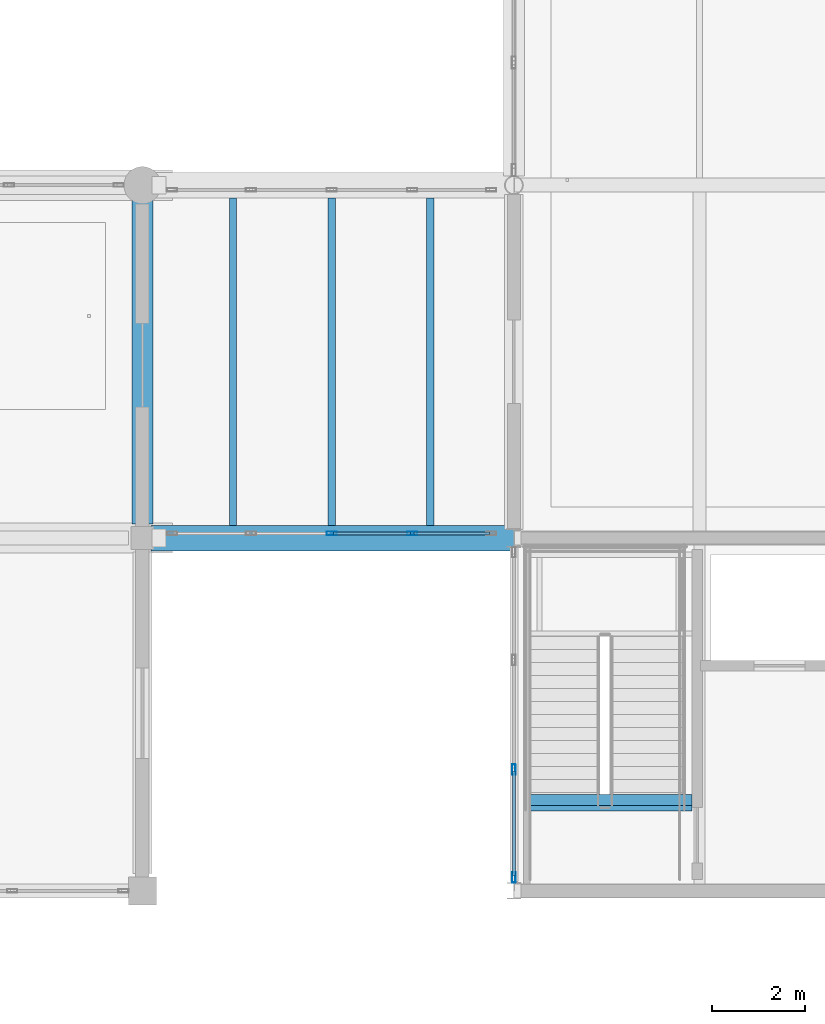
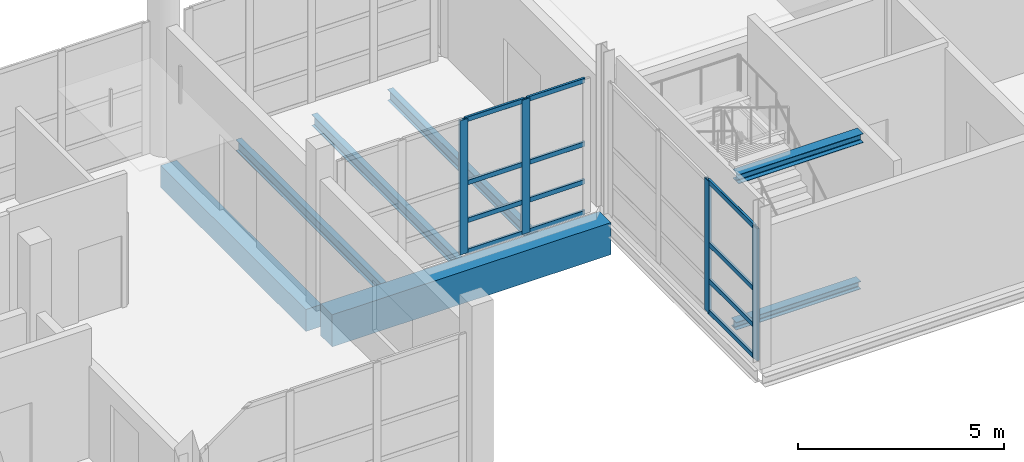
# One storey, part 44 of 141: 16 members, 7 beams, 2 elements without a shape of their own.
"""IFC4 building model written with IfcOpenShell, lengths in metres."""

import ifcopenshell
import ifcopenshell.guid

model = None  # the IFC model being written
_history = None  # IfcOwnerHistory: only IFC2X3 demands one
_inside = {}  # id of a spatial element -> (the spatial element, [elements in it])
_under = {}  # id of a project, library or spatial element -> (it, [spatial elements below it])
_declared = {}  # id of a project -> (the project, [libraries it declares])
_typed = {}  # id of a type object -> (the type object, [elements of that type])
_made_of = {}  # id of a material, layer set ... -> (it, [elements and type objects made of it])


def new_model(schema):
    """Start an empty IFC model of exactly this schema.

    Asked for "IFC4X3", IfcOpenShell would pick the latest addendum, in which some entities
    have other attributes; the version numbers below select the first issue.
    IFC2X3 requires an IfcOwnerHistory on every rooted entity: one is made here for all.
    """
    global model, _history
    if schema == "IFC4X3":
        model = ifcopenshell.file(schema_version=(4, 3, 0, 0))
    else:
        model = ifcopenshell.file(schema=schema)
    _inside.clear()
    _under.clear()
    _declared.clear()
    _typed.clear()
    _made_of.clear()
    _history = None
    if model.schema == "IFC2X3":
        org = make("IfcOrganization", Name="unknown")
        user = make(
            "IfcPersonAndOrganization",
            ThePerson=make("IfcPerson", FamilyName="unknown"),
            TheOrganization=org,
        )
        app = make(
            "IfcApplication",
            ApplicationDeveloper=org,
            Version="unknown",
            ApplicationFullName="unknown",
            ApplicationIdentifier="unknown",
        )
        _history = make(
            "IfcOwnerHistory",
            OwningUser=user,
            OwningApplication=app,
            ChangeAction="ADDED",
            CreationDate=0,
        )
    return model


def make(cls, **values):
    """One entity of the class cls with the attributes given. An attribute that is None is left unset."""
    return model.create_entity(
        cls, **{name: value for name, value in values.items() if value is not None}
    )


def rooted(cls, **values):
    """An entity with a GlobalId (a new one), such as an element, a storey or a relation."""
    return make(cls, GlobalId=ifcopenshell.guid.new(), OwnerHistory=_history, **values)


def si_unit(unit_type, name, prefix=None):
    """IfcSIUnit, for example si_unit("LENGTHUNIT", "METRE", prefix="MILLI")."""
    return make("IfcSIUnit", UnitType=unit_type, Prefix=prefix, Name=name)


def assignment(units):
    """IfcUnitAssignment: the units of a project."""
    return None if units is None else make("IfcUnitAssignment", Units=units)


def point(xyz):
    """IfcCartesianPoint."""
    return None if xyz is None else make("IfcCartesianPoint", Coordinates=xyz)


def direction(xyz):
    """IfcDirection."""
    return None if xyz is None else make("IfcDirection", DirectionRatios=xyz)


def frame(location, z_axis=None, x_axis=None):
    """IfcAxis2Placement3D, a coordinate frame: its origin and axes. An axis left out is left unset."""
    return make(
        "IfcAxis2Placement3D",
        Location=point(location),
        Axis=direction(z_axis),
        RefDirection=direction(x_axis),
    )


def frame_2d(location, x_axis=None):
    """IfcAxis2Placement2D, a coordinate frame in the plane: its origin and x axis."""
    return make(
        "IfcAxis2Placement2D", Location=point(location), RefDirection=direction(x_axis)
    )


def origin():
    """The frame at (0, 0, 0) with its axes left unset."""
    return frame((0.0, 0.0, 0.0))


def origin_2d():
    """The frame at (0, 0) in the plane with its x axis left unset."""
    return frame_2d((0.0, 0.0))


def place(relative_to, where):
    """IfcLocalPlacement: puts the frame where relative to a parent placement (None: the world)."""
    return make(
        "IfcLocalPlacement", PlacementRelTo=relative_to, RelativePlacement=where
    )


def context(
    kind, dimensions, precision=None, world=None, true_north=None, identifier=None
):
    """IfcGeometricRepresentationContext, for example the 3D "Model" context."""
    return make(
        "IfcGeometricRepresentationContext",
        ContextIdentifier=identifier,
        ContextType=kind,
        CoordinateSpaceDimension=dimensions,
        Precision=precision,
        WorldCoordinateSystem=world,
        TrueNorth=true_north,
    )


def subcontext(parent, identifier, kind, view, scale=None):
    """IfcGeometricRepresentationSubContext, for example "Body" below "Model"."""
    return make(
        "IfcGeometricRepresentationSubContext",
        ContextIdentifier=identifier,
        ContextType=kind,
        ParentContext=parent,
        TargetScale=scale,
        TargetView=view,
    )


def project(units=None, contexts=None):
    """IfcProject with its units and contexts."""
    return rooted(
        "IfcProject",
        Name="project",
        RepresentationContexts=contexts,
        UnitsInContext=assignment(units),
    )


def spatial(cls, under=None, at=None, **own):
    """A site, building, storey or space (cls), placed at a placement, below another one or the project."""
    s = rooted(cls, ObjectPlacement=at, **own)
    if under is not None:
        _under.setdefault(under.id(), (under, []))[1].append(s)
    return s


def profile(cls, at=None, kind="AREA", **sizes):
    """A parametric profile (cls). Its sizes go by their IFC names, for example OverallWidth=200.0."""
    return make(cls, ProfileType=kind, Position=at, **sizes)


def rectangle(**sizes):
    """IfcRectangleProfileDef."""
    return profile("IfcRectangleProfileDef", **sizes)


def hollow_rectangle(**sizes):
    """IfcRectangleHollowProfileDef."""
    return profile("IfcRectangleHollowProfileDef", **sizes)


def i_section(**sizes):
    """IfcIShapeProfileDef."""
    return profile("IfcIShapeProfileDef", **sizes)


def extrude(swept, where, along, depth):
    """IfcExtrudedAreaSolid: the profile swept, set in the frame where, extruded along a direction by depth."""
    return make(
        "IfcExtrudedAreaSolid",
        SweptArea=swept,
        Position=where,
        ExtrudedDirection=direction(along),
        Depth=depth,
    )


def shape(context_of_items, identifier, shape_type, items):
    """IfcShapeRepresentation: the items that make up one representation, for example the "Body"."""
    return make(
        "IfcShapeRepresentation",
        ContextOfItems=context_of_items,
        RepresentationIdentifier=identifier,
        RepresentationType=shape_type,
        Items=items,
    )


def material(Name=None, Category=None):
    """IfcMaterial."""
    return make("IfcMaterial", Name=Name, Category=Category)


def material_profile(
    of_material, cross_section, Name=None, Category=None, Priority=None
):
    """IfcMaterialProfile: a cross section and its material."""
    return make(
        "IfcMaterialProfile",
        Name=Name,
        Material=of_material,
        Profile=cross_section,
        Priority=Priority,
        Category=Category,
    )


def profile_set(profiles, Name=None, composite=None):
    """IfcMaterialProfileSet."""
    return make(
        "IfcMaterialProfileSet",
        Name=Name,
        MaterialProfiles=profiles,
        CompositeProfile=composite,
    )


def made_of(thing, what):
    """Note that an element or type object is made of a material, layer set ...; save() writes the relation."""
    if what is not None:
        _made_of.setdefault(what.id(), (what, []))[1].append(thing)
    return thing


def type_object(cls, material=None, **own):
    """A type object (cls), such as IfcWallType, which elements share."""
    return made_of(rooted(cls, **own), material)


def element(
    cls,
    number,
    at=None,
    inside=None,
    cuts=None,
    type_object=None,
    material=None,
    context=None,
    identifier="Body",
    shape_type=None,
    held_by="IfcProductDefinitionShape",
    body=None,
    shapes=None,
    **own,
):
    """One element of the class cls, such as IfcWall. Its Tag is "e" and its number.

    at: its placement. inside: the storey or other place that contains it. cuts: it is an
    opening in that element (IfcRelVoidsElement). A single representation is given by context,
    identifier, shape_type and body (its items); several are given by shapes. held_by: the class
    of the entity that holds the representations. save() writes the other relations.
    """
    e = rooted(cls, Tag="e%d" % number, ObjectPlacement=at, **own)
    if body is not None:
        shapes = [shape(context, identifier, shape_type, body)]
    if shapes is not None:
        e.Representation = make(held_by, Representations=shapes)
    if inside is not None:
        _inside.setdefault(inside.id(), (inside, []))[1].append(e)
    if cuts is not None:
        rooted(
            "IfcRelVoidsElement", RelatingBuildingElement=cuts, RelatedOpeningElement=e
        )
    if type_object is not None:
        _typed.setdefault(type_object.id(), (type_object, []))[1].append(e)
    return made_of(e, material)


def aggregate(whole, parts):
    """IfcRelAggregates: a whole, such as a stair, and the parts it consists of."""
    return rooted("IfcRelAggregates", RelatingObject=whole, RelatedObjects=parts)


def save(model, path):
    """Write the relations noted so far, then the file.

    IfcRelAggregates (storeys below a building ...), IfcRelContainedInSpatialStructure (elements
    in a storey), IfcRelDefinesByType, IfcRelAssociatesMaterial and IfcRelDeclares: one each for
    every whole, place, type object, material and project.
    """
    for whole, parts in _under.values():
        aggregate(whole, parts)
    for where, things in _inside.values():
        rooted(
            "IfcRelContainedInSpatialStructure",
            RelatedElements=things,
            RelatingStructure=where,
        )
    for kind, things in _typed.values():
        rooted("IfcRelDefinesByType", RelatedObjects=things, RelatingType=kind)
    for what, things in _made_of.values():
        rooted("IfcRelAssociatesMaterial", RelatedObjects=things, RelatingMaterial=what)
    for by, libraries in _declared.values():
        rooted("IfcRelDeclares", RelatingContext=by, RelatedDefinitions=libraries)
    model.write(path)


model = new_model("IFC4")

# Units and contexts
model_context = context("Model", 3, precision=1e-05, world=origin(), true_north=direction((0.0, 1.0)))
body_context = subcontext(model_context, "Body", "Model", "MODEL_VIEW")
ifc_project = project(units=[si_unit("LENGTHUNIT", "METRE"), si_unit("AREAUNIT", "SQUARE_METRE"), si_unit("VOLUMEUNIT", "CUBIC_METRE"), si_unit("PLANEANGLEUNIT", "RADIAN"), si_unit("MASSUNIT", "GRAM", prefix="KILO")], contexts=[model_context])

# Site, building, storey
site_placement = place(None, origin())
site = spatial("IfcSite", under=ifc_project, at=site_placement, CompositionType="ELEMENT")
building_placement = place(site_placement, origin())
building = spatial("IfcBuilding", under=site, at=building_placement, Name="Khelvaren Railside Concert Hall", CompositionType="ELEMENT")
storey_placement = place(building_placement, frame((0.0, 0.0, 10.199951171875)))
storey = spatial("IfcBuildingStorey", under=building, at=storey_placement, Name="L02", CompositionType="ELEMENT", Elevation=10.199951171875)

# Beams
ifc_material_1 = material(Name="Steel S355", Category="steel")
ifc_material_profile_1 = material_profile(ifc_material_1, i_section(OverallWidth=0.239990234375, OverallDepth=0.22998046875, WebThickness=0.007568359375, FlangeThickness=0.011962890625, FilletRadius=0.02099609375, at=origin_2d()), Name="HEA 240")
ifc_profile_set_1 = profile_set([ifc_material_profile_1], Name="Steel S355")
beam_type_1 = type_object("IfcBeamType", Name="BM42", PredefinedType="BEAM", material=ifc_profile_set_1)
beam_1_placement = place(storey_placement, frame((144.344970703125, 1.960693359375, -0.114990234375), z_axis=(1.0, 0.0, 0.0), x_axis=(0.0, 1.0, 0.0)))
element("IfcBeam", 1, at=beam_1_placement, inside=storey, type_object=beam_type_1, Name="ST-03 L02 Stair Foot Trimmer Beam", PredefinedType="BEAM", context=body_context, shape_type="SweptSolid", body=[
    extrude(i_section(OverallWidth=0.239990234375, OverallDepth=0.22998046875, WebThickness=0.007568359375, FlangeThickness=0.011962890625, FilletRadius=0.02099609375, at=origin_2d()), origin(), (0.0, 0.0, 1.0), 3.4951171875),
])
ifc_material_profile_2 = material_profile(ifc_material_1, i_section(OverallWidth=0.280029296875, OverallDepth=0.27001953125, WebThickness=0.008056640625, FlangeThickness=0.012939453125, FilletRadius=0.02392578125, at=origin_2d()), Name="HEA 280")
ifc_profile_set_2 = profile_set([ifc_material_profile_2], Name="Steel S355")
beam_type_2 = type_object("IfcBeamType", Name="BM93", PredefinedType="BEAM", material=ifc_profile_set_2)
beam_2_placement = place(storey_placement, frame((144.344970703125, 1.860107421875, 4.317626953125), z_axis=(1.0, 0.0, 0.0), x_axis=(0.0, 1.0, 0.0)))
element("IfcBeam", 2, at=beam_2_placement, inside=storey, type_object=beam_type_2, Name="ST-03 L02 Stair Top Arrival Trimmer Beam", PredefinedType="BEAM", context=body_context, shape_type="SweptSolid", body=[
    extrude(i_section(OverallWidth=0.280029296875, OverallDepth=0.27001953125, WebThickness=0.008056640625, FlangeThickness=0.012939453125, FilletRadius=0.02392578125, at=origin_2d()), origin(), (0.0, 0.0, 1.0), 3.4951171875),
])

# Curtain wall, members
ifc_material_2 = material(Name="Double-glazed clear foyer glass", Category="glass")
curtain_wall_type_1 = type_object("IfcCurtainWallType", Name="CW64", PredefinedType="USERDEFINED", material=ifc_material_2)
curtain_wall_1_placement = place(storey_placement, origin())
curtain_wall_1 = element("IfcCurtainWall", 3, at=curtain_wall_1_placement, inside=storey, type_object=curtain_wall_type_1, Name="Unitised Curtain Wall CW-V2-L02-W-0", ObjectType="UNITISED CURTAIN WALL", PredefinedType="USERDEFINED")
ifc_material_3 = material(Name="Anodised architectural aluminium 6063-T6", Category="aluminium")
ifc_material_profile_3 = material_profile(ifc_material_3, hollow_rectangle(XDim=0.074951171875, YDim=0.219970703125, WallThickness=0.0048828125, InnerFilletRadius=0.0029296875, OuterFilletRadius=0.0048828125, at=origin_2d()), Name="CWM 75x220x5")
ifc_profile_set_3 = profile_set([ifc_material_profile_3], Name="Anodised architectural aluminium 6063-T6")
member_type_1 = type_object("IfcMemberType", Name="CWM13", PredefinedType="MULLION", material=ifc_profile_set_3)
member_1_placement = place(storey_placement, frame((144.0, 0.2900390625, 0.0), z_axis=(0.0, 0.0, 1.0), x_axis=(-1.0, 0.0, 0.0)))
member_1 = element("IfcMember", 4, at=member_1_placement, type_object=member_type_1, Name="CW64 mullion 1", PredefinedType="MULLION", context=body_context, shape_type="SweptSolid", body=[
    extrude(hollow_rectangle(XDim=0.074951171875, YDim=0.219970703125, WallThickness=0.0048828125, InnerFilletRadius=0.0029296875, OuterFilletRadius=0.0048828125, at=origin_2d()), origin(), (0.0, 0.0, 1.0), 3.91015625),
])
member_2_placement = place(storey_placement, frame((144.0, 2.612548828125, 0.0), z_axis=(0.0, 0.0, 1.0), x_axis=(-1.0, 0.0, 0.0)))
member_2 = element("IfcMember", 5, at=member_2_placement, type_object=member_type_1, Name="CW64 mullion 2", PredefinedType="MULLION", context=body_context, shape_type="SweptSolid", body=[
    extrude(hollow_rectangle(XDim=0.074951171875, YDim=0.219970703125, WallThickness=0.0048828125, InnerFilletRadius=0.0029296875, OuterFilletRadius=0.0048828125, at=origin_2d()), origin(), (0.0, 0.0, 1.0), 3.91015625),
])

curtain_wall_type_2 = type_object("IfcCurtainWallType", Name="CW47", PredefinedType="USERDEFINED", material=ifc_material_2)
curtain_wall_2_placement = place(storey_placement, origin())
curtain_wall_2 = element("IfcCurtainWall", 6, at=curtain_wall_2_placement, inside=storey, type_object=curtain_wall_type_2, Name="Unitised Curtain Wall CW-LB2-L02-S", ObjectType="UNITISED CURTAIN WALL", PredefinedType="USERDEFINED")
member_3_placement = place(storey_placement, frame((141.8125, 7.699951171875, 0.0), z_axis=(0.0, 0.0, 1.0), x_axis=(0.0, -1.0, 0.0)))
member_3 = element("IfcMember", 7, at=member_3_placement, type_object=member_type_1, Name="CW47 mullion 2", PredefinedType="MULLION", context=body_context, shape_type="SweptSolid", body=[
    extrude(hollow_rectangle(XDim=0.074951171875, YDim=0.219970703125, WallThickness=0.0048828125, InnerFilletRadius=0.0029296875, OuterFilletRadius=0.0048828125, at=origin_2d()), origin(), (0.0, 0.0, 1.0), 3.97998046875),
])
member_4_placement = place(storey_placement, frame((140.074951171875, 7.699951171875, 0.0), z_axis=(0.0, 0.0, 1.0), x_axis=(0.0, -1.0, 0.0)))
member_4 = element("IfcMember", 8, at=member_4_placement, type_object=member_type_1, Name="CW47 mullion 3", PredefinedType="MULLION", context=body_context, shape_type="SweptSolid", body=[
    extrude(hollow_rectangle(XDim=0.074951171875, YDim=0.219970703125, WallThickness=0.0048828125, InnerFilletRadius=0.0029296875, OuterFilletRadius=0.0048828125, at=origin_2d()), origin(), (0.0, 0.0, 1.0), 3.97998046875),
])

# Member
ifc_material_profile_4 = material_profile(ifc_material_3, hollow_rectangle(XDim=0.06494140625, YDim=0.139892578125, WallThickness=0.00390625, InnerFilletRadius=0.001953125, OuterFilletRadius=0.00390625, at=origin_2d()), Name="CWT 65x140x4")
ifc_profile_set_4 = profile_set([ifc_material_profile_4], Name="Anodised architectural aluminium 6063-T6")
member_type_2 = type_object("IfcMemberType", Name="CWT72", PredefinedType="USERDEFINED", material=ifc_profile_set_4)
member_5_placement = place(storey_placement, frame((144.0, 0.327392578125, 0.032470703125), z_axis=(0.0, 1.0, 0.0), x_axis=(-1.0, 0.0, 0.0)))
member_5 = element("IfcMember", 9, at=member_5_placement, type_object=member_type_2, Name="CW64 transom 1.1", ObjectType="TRANSOM", PredefinedType="USERDEFINED", context=body_context, shape_type="SweptSolid", body=[
    extrude(hollow_rectangle(XDim=0.06494140625, YDim=0.139892578125, WallThickness=0.00390625, InnerFilletRadius=0.001953125, OuterFilletRadius=0.00390625, at=origin_2d()), origin(), (0.0, 0.0, 1.0), 2.24755859375),
])

member_6_placement = place(storey_placement, frame((144.0, 0.327392578125, 0.949951171875), z_axis=(0.0, 1.0, 0.0), x_axis=(-1.0, 0.0, 0.0)))
member_6 = element("IfcMember", 10, at=member_6_placement, type_object=member_type_2, Name="CW64 transom 1.2", ObjectType="TRANSOM", PredefinedType="USERDEFINED", context=body_context, shape_type="SweptSolid", body=[
    extrude(hollow_rectangle(XDim=0.06494140625, YDim=0.139892578125, WallThickness=0.00390625, InnerFilletRadius=0.001953125, OuterFilletRadius=0.00390625, at=origin_2d()), origin(), (0.0, 0.0, 1.0), 2.24755859375),
])

member_7_placement = place(storey_placement, frame((144.0, 0.327392578125, 2.033203125), z_axis=(0.0, 1.0, 0.0), x_axis=(-1.0, 0.0, 0.0)))
member_7 = element("IfcMember", 11, at=member_7_placement, type_object=member_type_2, Name="CW64 transom 1.3", ObjectType="TRANSOM", PredefinedType="USERDEFINED", context=body_context, shape_type="SweptSolid", body=[
    extrude(hollow_rectangle(XDim=0.06494140625, YDim=0.139892578125, WallThickness=0.00390625, InnerFilletRadius=0.001953125, OuterFilletRadius=0.00390625, at=origin_2d()), origin(), (0.0, 0.0, 1.0), 2.24755859375),
])

member_8_placement = place(storey_placement, frame((144.0, 0.327392578125, 3.87744140625), z_axis=(0.0, 1.0, 0.0), x_axis=(-1.0, 0.0, 0.0)))
member_8 = element("IfcMember", 12, at=member_8_placement, type_object=member_type_2, Name="CW64 transom 1.4", ObjectType="TRANSOM", PredefinedType="USERDEFINED", context=body_context, shape_type="SweptSolid", body=[
    extrude(hollow_rectangle(XDim=0.06494140625, YDim=0.139892578125, WallThickness=0.00390625, InnerFilletRadius=0.001953125, OuterFilletRadius=0.00390625, at=origin_2d()), origin(), (0.0, 0.0, 1.0), 2.24755859375),
])

aggregate(curtain_wall_1, [member_1, member_2, member_5, member_6, member_7, member_8])

member_9_placement = place(storey_placement, frame((143.47509765625, 7.699951171875, 0.032470703125), z_axis=(-1.0, 0.0, 0.0), x_axis=(0.0, -1.0, 0.0)))
member_9 = element("IfcMember", 13, at=member_9_placement, type_object=member_type_2, Name="CW47 transom 1.1", ObjectType="TRANSOM", PredefinedType="USERDEFINED", context=body_context, shape_type="SweptSolid", body=[
    extrude(hollow_rectangle(XDim=0.06494140625, YDim=0.139892578125, WallThickness=0.00390625, InnerFilletRadius=0.001953125, OuterFilletRadius=0.00390625, at=origin_2d()), origin(), (0.0, 0.0, 1.0), 1.625),
])

member_10_placement = place(storey_placement, frame((143.47509765625, 7.699951171875, 0.949951171875), z_axis=(-1.0, 0.0, 0.0), x_axis=(0.0, -1.0, 0.0)))
member_10 = element("IfcMember", 14, at=member_10_placement, type_object=member_type_2, Name="CW47 transom 1.2", ObjectType="TRANSOM", PredefinedType="USERDEFINED", context=body_context, shape_type="SweptSolid", body=[
    extrude(hollow_rectangle(XDim=0.06494140625, YDim=0.139892578125, WallThickness=0.00390625, InnerFilletRadius=0.001953125, OuterFilletRadius=0.00390625, at=origin_2d()), origin(), (0.0, 0.0, 1.0), 1.625),
])

member_11_placement = place(storey_placement, frame((143.47509765625, 7.699951171875, 2.069580078125), z_axis=(-1.0, 0.0, 0.0), x_axis=(0.0, -1.0, 0.0)))
member_11 = element("IfcMember", 15, at=member_11_placement, type_object=member_type_2, Name="CW47 transom 1.3", ObjectType="TRANSOM", PredefinedType="USERDEFINED", context=body_context, shape_type="SweptSolid", body=[
    extrude(hollow_rectangle(XDim=0.06494140625, YDim=0.139892578125, WallThickness=0.00390625, InnerFilletRadius=0.001953125, OuterFilletRadius=0.00390625, at=origin_2d()), origin(), (0.0, 0.0, 1.0), 1.625),
])

member_12_placement = place(storey_placement, frame((143.47509765625, 7.699951171875, 3.947509765625), z_axis=(-1.0, 0.0, 0.0), x_axis=(0.0, -1.0, 0.0)))
member_12 = element("IfcMember", 16, at=member_12_placement, type_object=member_type_2, Name="CW47 transom 1.4", ObjectType="TRANSOM", PredefinedType="USERDEFINED", context=body_context, shape_type="SweptSolid", body=[
    extrude(hollow_rectangle(XDim=0.06494140625, YDim=0.139892578125, WallThickness=0.00390625, InnerFilletRadius=0.001953125, OuterFilletRadius=0.00390625, at=origin_2d()), origin(), (0.0, 0.0, 1.0), 1.625),
])

member_13_placement = place(storey_placement, frame((141.77490234375, 7.699951171875, 0.032470703125), z_axis=(-1.0, 0.0, 0.0), x_axis=(0.0, -1.0, 0.0)))
member_13 = element("IfcMember", 17, at=member_13_placement, type_object=member_type_2, Name="CW47 transom 2.1", ObjectType="TRANSOM", PredefinedType="USERDEFINED", context=body_context, shape_type="SweptSolid", body=[
    extrude(hollow_rectangle(XDim=0.06494140625, YDim=0.139892578125, WallThickness=0.00390625, InnerFilletRadius=0.001953125, OuterFilletRadius=0.00390625, at=origin_2d()), origin(), (0.0, 0.0, 1.0), 1.662353515625),
])

member_14_placement = place(storey_placement, frame((141.77490234375, 7.699951171875, 0.949951171875), z_axis=(-1.0, 0.0, 0.0), x_axis=(0.0, -1.0, 0.0)))
member_14 = element("IfcMember", 18, at=member_14_placement, type_object=member_type_2, Name="CW47 transom 2.2", ObjectType="TRANSOM", PredefinedType="USERDEFINED", context=body_context, shape_type="SweptSolid", body=[
    extrude(hollow_rectangle(XDim=0.06494140625, YDim=0.139892578125, WallThickness=0.00390625, InnerFilletRadius=0.001953125, OuterFilletRadius=0.00390625, at=origin_2d()), origin(), (0.0, 0.0, 1.0), 1.662353515625),
])

member_15_placement = place(storey_placement, frame((141.77490234375, 7.699951171875, 2.069580078125), z_axis=(-1.0, 0.0, 0.0), x_axis=(0.0, -1.0, 0.0)))
member_15 = element("IfcMember", 19, at=member_15_placement, type_object=member_type_2, Name="CW47 transom 2.3", ObjectType="TRANSOM", PredefinedType="USERDEFINED", context=body_context, shape_type="SweptSolid", body=[
    extrude(hollow_rectangle(XDim=0.06494140625, YDim=0.139892578125, WallThickness=0.00390625, InnerFilletRadius=0.001953125, OuterFilletRadius=0.00390625, at=origin_2d()), origin(), (0.0, 0.0, 1.0), 1.662353515625),
])

member_16_placement = place(storey_placement, frame((141.77490234375, 7.699951171875, 3.947509765625), z_axis=(-1.0, 0.0, 0.0), x_axis=(0.0, -1.0, 0.0)))
member_16 = element("IfcMember", 20, at=member_16_placement, type_object=member_type_2, Name="CW47 transom 2.4", ObjectType="TRANSOM", PredefinedType="USERDEFINED", context=body_context, shape_type="SweptSolid", body=[
    extrude(hollow_rectangle(XDim=0.06494140625, YDim=0.139892578125, WallThickness=0.00390625, InnerFilletRadius=0.001953125, OuterFilletRadius=0.00390625, at=origin_2d()), origin(), (0.0, 0.0, 1.0), 1.662353515625),
])

aggregate(curtain_wall_2, [member_3, member_4, member_9, member_10, member_11, member_12, member_13, member_14, member_15, member_16])

# Beams
ifc_material_4 = material(Name="Concrete C40/50", Category="concrete")
ifc_material_profile_5 = material_profile(ifc_material_4, rectangle(XDim=0.550048828125, YDim=0.949951171875, at=origin_2d()), Name="RCB 550x950")
ifc_profile_set_5 = profile_set([ifc_material_profile_5], Name="Concrete C40/50")
beam_type_3 = type_object("IfcBeamType", Name="GR75", PredefinedType="T_BEAM", material=ifc_profile_set_5)
beam_3_placement = place(storey_placement, frame((136.179931640625, 7.60009765625, -0.71484375), z_axis=(1.0, 0.0, 0.0), x_axis=(0.0, 1.0, 0.0)))
element("IfcBeam", 21, at=beam_3_placement, inside=storey, type_object=beam_type_3, Name="East Rehearsal Link Bridge L02 Bridge Girder 1", PredefinedType="T_BEAM", context=body_context, shape_type="SweptSolid", body=[
    extrude(rectangle(XDim=0.550048828125, YDim=0.949951171875, at=origin_2d()), origin(), (0.0, 0.0, 1.0), 7.820068359375),
])
ifc_material_profile_6 = material_profile(ifc_material_1, i_section(OverallWidth=0.159912109375, OverallDepth=0.330078125, WebThickness=0.007568359375, FlangeThickness=0.011474609375, FilletRadius=0.01806640625, at=origin_2d()), Name="IPE 330")
ifc_profile_set_6 = profile_set([ifc_material_profile_6], Name="Steel S355")
beam_type_4 = type_object("IfcBeamType", Name="JS65", PredefinedType="JOIST", material=ifc_profile_set_6)
for number, where, z_axis, x_axis, name in (
    (22, (137.949951171875, 7.875, -0.405029296875), (0.0, 1.0, 0.0), (-1.0, 0.0, 0.0), "East Rehearsal Link Bridge L02 Bridge Cross Joist 1"),
    (23, (140.074951171875, 7.875, -0.405029296875), (0.0, 1.0, 0.0), (-1.0, 0.0, 0.0), "East Rehearsal Link Bridge L02 Bridge Cross Joist 2"),
    (24, (142.199951171875, 7.875, -0.405029296875), (0.0, 1.0, 0.0), (-1.0, 0.0, 0.0), "East Rehearsal Link Bridge L02 Bridge Cross Joist 3"),
):
    element("IfcBeam", number, at=place(storey_placement, frame(where, z_axis=z_axis, x_axis=x_axis)), inside=storey, type_object=beam_type_4, Name=name, PredefinedType="JOIST", context=body_context, shape_type="SweptSolid", body=[
        extrude(i_section(OverallWidth=0.159912109375, OverallDepth=0.330078125, WebThickness=0.007568359375, FlangeThickness=0.011474609375, FilletRadius=0.01806640625, at=origin_2d()), origin(), (0.0, 0.0, 1.0), 7.050048828125),
    ])
ifc_material_profile_7 = material_profile(ifc_material_4, rectangle(XDim=0.449951171875, YDim=0.64990234375, at=origin_2d()), Name="RCB 450x650")
ifc_profile_set_7 = profile_set([ifc_material_profile_7], Name="Concrete C40/50")
beam_type_5 = type_object("IfcBeamType", Name="SP34", PredefinedType="SPANDREL", material=ifc_profile_set_7)
beam_4_placement = place(storey_placement, frame((136.0, 7.89990234375, -0.614990234375), z_axis=(0.0, 1.0, 0.0), x_axis=(-1.0, 0.0, 0.0)))
element("IfcBeam", 25, at=beam_4_placement, inside=storey, type_object=beam_type_5, Name="V3 L02 Spandrel Y10.2", PredefinedType="SPANDREL", context=body_context, shape_type="SweptSolid", body=[
    extrude(rectangle(XDim=0.449951171875, YDim=0.64990234375, at=origin_2d()), origin(), (0.0, 0.0, 1.0), 7.050048828125),
])

save(model, "model.ifc")
